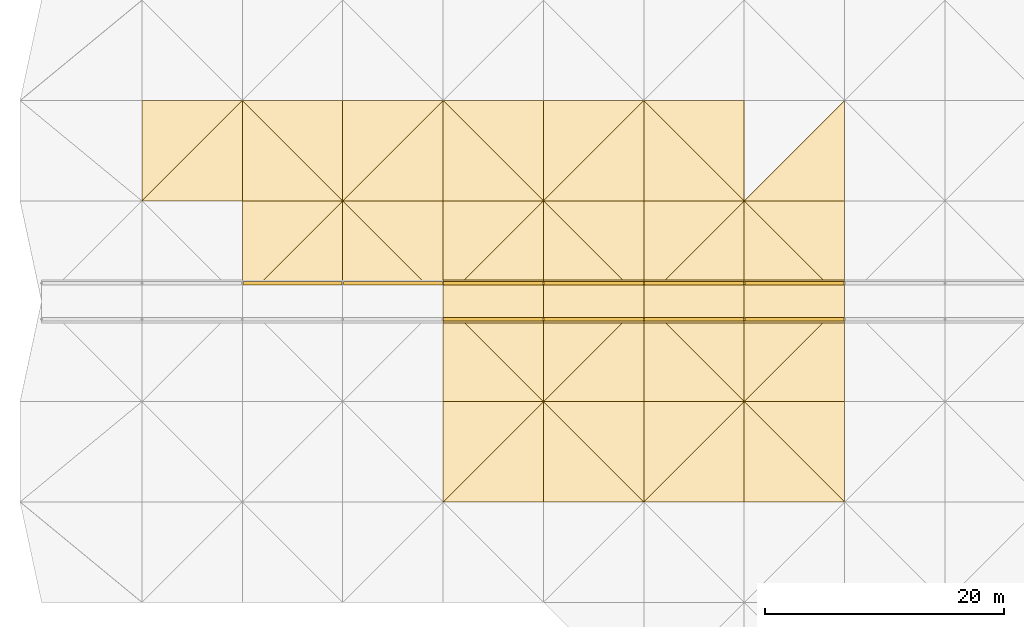
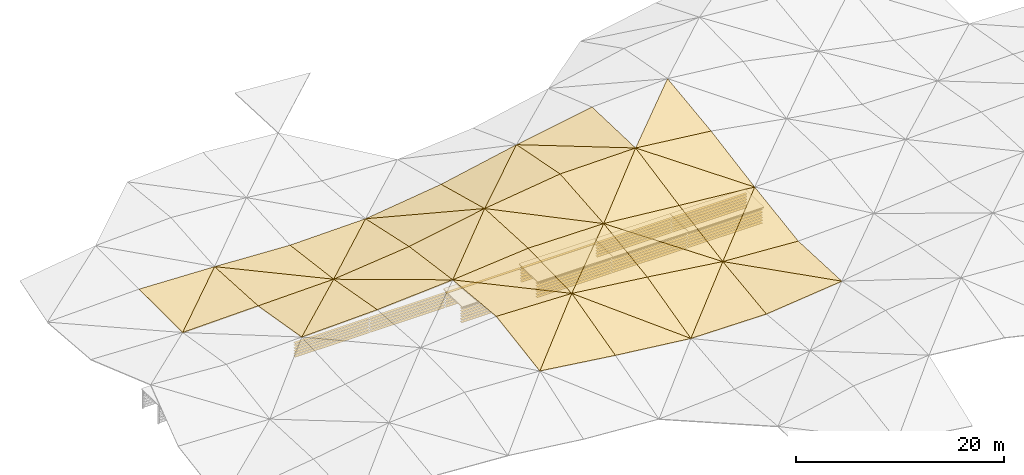
# One storey, part 39 of 46: 60 shading devices, 45 coverings.
"""IFC4 building model written with IfcOpenShell, lengths in metres."""

from ifc_helpers import new_model, si_unit, direction, frame, origin, origin_2d, place, context, subcontext, project, spatial, polyline, rectangle, outline, extrude, material, layer, layer_set, type_object, element, save


model = new_model("IFC4")

# Units and contexts
model_context = context("Model", 3, precision=1e-05, world=origin(), true_north=direction((0.0, 1.0)))
body_context = subcontext(model_context, "Body", "Model", "MODEL_VIEW")
ifc_project = project(units=[si_unit("LENGTHUNIT", "METRE"), si_unit("AREAUNIT", "SQUARE_METRE"), si_unit("VOLUMEUNIT", "CUBIC_METRE"), si_unit("PLANEANGLEUNIT", "RADIAN"), si_unit("MASSUNIT", "GRAM", prefix="KILO")], contexts=[model_context])

# Site, building, storey
site_placement = place(None, origin())
site = spatial("IfcSite", under=ifc_project, at=site_placement, CompositionType="ELEMENT")
building_placement = place(site_placement, origin())
building = spatial("IfcBuilding", under=site, at=building_placement, Name="Rain Tree Exposition and Congress Centre", CompositionType="ELEMENT")
storey_placement = place(building_placement, frame((0.0, 0.0, 27.0)))
storey = spatial("IfcBuildingStorey", under=building, at=storey_placement, Name="ROOF VAULT CREST", CompositionType="ELEMENT", Elevation=27.0)

# Shading devices
ifc_material_1 = material(Name="Aluminium", Category="aluminium")
ifc_layer_1 = layer(ifc_material_1, 0.0400390625)
ifc_layer_set_1 = layer_set([ifc_layer_1], Name="Aluminium")
shading_device_type = type_object("IfcShadingDeviceType", Name="Lantern louvre blade 40", PredefinedType="JALOUSIE", material=ifc_layer_set_1)
for number, where, z_axis, x_axis, name in (
    (1, (46.199951171875, 149.699951171875, 0.14990234375), (0.0, 0.0, 1.0), (1.0, 0.0, 0.0), "Lantern louvre S4.1"),
    (2, (46.199951171875, 149.699951171875, 0.469970703125), (0.0, 0.0, 1.0), (1.0, 0.0, 0.0), "Lantern louvre S4.2"),
    (3, (46.199951171875, 149.699951171875, 0.7900390625), (0.0, 0.0, 1.0), (1.0, 0.0, 0.0), "Lantern louvre S4.3"),
    (4, (46.199951171875, 149.699951171875, 1.10986328125), (0.0, 0.0, 1.0), (1.0, 0.0, 0.0), "Lantern louvre S4.4"),
    (5, (46.199951171875, 149.699951171875, 1.429931640625), (0.0, 0.0, 1.0), (1.0, 0.0, 0.0), "Lantern louvre S4.5"),
    (6, (46.199951171875, 149.699951171875, 1.75), (0.0, 0.0, 1.0), (1.0, 0.0, 0.0), "Lantern louvre S4.6"),
    (7, (54.60009765625, 149.699951171875, 0.14990234375), (0.0, 0.0, 1.0), (1.0, 0.0, 0.0), "Lantern louvre S5.1"),
    (8, (54.60009765625, 149.699951171875, 0.469970703125), (0.0, 0.0, 1.0), (1.0, 0.0, 0.0), "Lantern louvre S5.2"),
    (9, (54.60009765625, 149.699951171875, 0.7900390625), (0.0, 0.0, 1.0), (1.0, 0.0, 0.0), "Lantern louvre S5.3"),
    (10, (54.60009765625, 149.699951171875, 1.10986328125), (0.0, 0.0, 1.0), (1.0, 0.0, 0.0), "Lantern louvre S5.4"),
    (11, (54.60009765625, 149.699951171875, 1.429931640625), (0.0, 0.0, 1.0), (1.0, 0.0, 0.0), "Lantern louvre S5.5"),
    (12, (54.60009765625, 149.699951171875, 1.75), (0.0, 0.0, 1.0), (1.0, 0.0, 0.0), "Lantern louvre S5.6"),
    (13, (63.0, 149.699951171875, 0.14990234375), (0.0, 0.0, 1.0), (1.0, 0.0, 0.0), "Lantern louvre S6.1"),
    (14, (63.0, 149.699951171875, 0.469970703125), (0.0, 0.0, 1.0), (1.0, 0.0, 0.0), "Lantern louvre S6.2"),
    (15, (63.0, 149.699951171875, 0.7900390625), (0.0, 0.0, 1.0), (1.0, 0.0, 0.0), "Lantern louvre S6.3"),
    (16, (63.0, 149.699951171875, 1.10986328125), (0.0, 0.0, 1.0), (1.0, 0.0, 0.0), "Lantern louvre S6.4"),
    (17, (63.0, 149.699951171875, 1.429931640625), (0.0, 0.0, 1.0), (1.0, 0.0, 0.0), "Lantern louvre S6.5"),
    (18, (63.0, 149.699951171875, 1.75), (0.0, 0.0, 1.0), (1.0, 0.0, 0.0), "Lantern louvre S6.6"),
    (19, (71.39990234375, 149.699951171875, 0.14990234375), (0.0, 0.0, 1.0), (1.0, 0.0, 0.0), "Lantern louvre S7.1"),
    (20, (71.39990234375, 149.699951171875, 0.469970703125), (0.0, 0.0, 1.0), (1.0, 0.0, 0.0), "Lantern louvre S7.2"),
    (21, (71.39990234375, 149.699951171875, 0.7900390625), (0.0, 0.0, 1.0), (1.0, 0.0, 0.0), "Lantern louvre S7.3"),
    (22, (71.39990234375, 149.699951171875, 1.10986328125), (0.0, 0.0, 1.0), (1.0, 0.0, 0.0), "Lantern louvre S7.4"),
    (23, (71.39990234375, 149.699951171875, 1.429931640625), (0.0, 0.0, 1.0), (1.0, 0.0, 0.0), "Lantern louvre S7.5"),
    (24, (71.39990234375, 149.699951171875, 1.75), (0.0, 0.0, 1.0), (1.0, 0.0, 0.0), "Lantern louvre S7.6"),
    (25, (29.39990234375, 152.699951171875, 0.14990234375), (0.0, 0.0, 1.0), (1.0, 0.0, 0.0), "Lantern louvre N2.1"),
    (26, (29.39990234375, 152.699951171875, 0.469970703125), (0.0, 0.0, 1.0), (1.0, 0.0, 0.0), "Lantern louvre N2.2"),
    (27, (29.39990234375, 152.699951171875, 0.7900390625), (0.0, 0.0, 1.0), (1.0, 0.0, 0.0), "Lantern louvre N2.3"),
    (28, (29.39990234375, 152.699951171875, 1.10986328125), (0.0, 0.0, 1.0), (1.0, 0.0, 0.0), "Lantern louvre N2.4"),
    (29, (29.39990234375, 152.699951171875, 1.429931640625), (0.0, 0.0, 1.0), (1.0, 0.0, 0.0), "Lantern louvre N2.5"),
    (30, (29.39990234375, 152.699951171875, 1.75), (0.0, 0.0, 1.0), (1.0, 0.0, 0.0), "Lantern louvre N2.6"),
    (31, (37.800048828125, 152.699951171875, 0.14990234375), (0.0, 0.0, 1.0), (1.0, 0.0, 0.0), "Lantern louvre N3.1"),
    (32, (37.800048828125, 152.699951171875, 0.469970703125), (0.0, 0.0, 1.0), (1.0, 0.0, 0.0), "Lantern louvre N3.2"),
    (33, (37.800048828125, 152.699951171875, 0.7900390625), (0.0, 0.0, 1.0), (1.0, 0.0, 0.0), "Lantern louvre N3.3"),
    (34, (37.800048828125, 152.699951171875, 1.10986328125), (0.0, 0.0, 1.0), (1.0, 0.0, 0.0), "Lantern louvre N3.4"),
    (35, (37.800048828125, 152.699951171875, 1.429931640625), (0.0, 0.0, 1.0), (1.0, 0.0, 0.0), "Lantern louvre N3.5"),
    (36, (37.800048828125, 152.699951171875, 1.75), (0.0, 0.0, 1.0), (1.0, 0.0, 0.0), "Lantern louvre N3.6"),
    (37, (46.199951171875, 152.699951171875, 0.14990234375), (0.0, 0.0, 1.0), (1.0, 0.0, 0.0), "Lantern louvre N4.1"),
    (38, (46.199951171875, 152.699951171875, 0.469970703125), (0.0, 0.0, 1.0), (1.0, 0.0, 0.0), "Lantern louvre N4.2"),
    (39, (46.199951171875, 152.699951171875, 0.7900390625), (0.0, 0.0, 1.0), (1.0, 0.0, 0.0), "Lantern louvre N4.3"),
    (40, (46.199951171875, 152.699951171875, 1.10986328125), (0.0, 0.0, 1.0), (1.0, 0.0, 0.0), "Lantern louvre N4.4"),
    (41, (46.199951171875, 152.699951171875, 1.429931640625), (0.0, 0.0, 1.0), (1.0, 0.0, 0.0), "Lantern louvre N4.5"),
    (42, (46.199951171875, 152.699951171875, 1.75), (0.0, 0.0, 1.0), (1.0, 0.0, 0.0), "Lantern louvre N4.6"),
    (43, (54.60009765625, 152.699951171875, 0.14990234375), (0.0, 0.0, 1.0), (1.0, 0.0, 0.0), "Lantern louvre N5.1"),
    (44, (54.60009765625, 152.699951171875, 0.469970703125), (0.0, 0.0, 1.0), (1.0, 0.0, 0.0), "Lantern louvre N5.2"),
    (45, (54.60009765625, 152.699951171875, 0.7900390625), (0.0, 0.0, 1.0), (1.0, 0.0, 0.0), "Lantern louvre N5.3"),
    (46, (54.60009765625, 152.699951171875, 1.10986328125), (0.0, 0.0, 1.0), (1.0, 0.0, 0.0), "Lantern louvre N5.4"),
    (47, (54.60009765625, 152.699951171875, 1.429931640625), (0.0, 0.0, 1.0), (1.0, 0.0, 0.0), "Lantern louvre N5.5"),
    (48, (54.60009765625, 152.699951171875, 1.75), (0.0, 0.0, 1.0), (1.0, 0.0, 0.0), "Lantern louvre N5.6"),
    (49, (63.0, 152.699951171875, 0.14990234375), (0.0, 0.0, 1.0), (1.0, 0.0, 0.0), "Lantern louvre N6.1"),
    (50, (63.0, 152.699951171875, 0.469970703125), (0.0, 0.0, 1.0), (1.0, 0.0, 0.0), "Lantern louvre N6.2"),
    (51, (63.0, 152.699951171875, 0.7900390625), (0.0, 0.0, 1.0), (1.0, 0.0, 0.0), "Lantern louvre N6.3"),
    (52, (63.0, 152.699951171875, 1.10986328125), (0.0, 0.0, 1.0), (1.0, 0.0, 0.0), "Lantern louvre N6.4"),
    (53, (63.0, 152.699951171875, 1.429931640625), (0.0, 0.0, 1.0), (1.0, 0.0, 0.0), "Lantern louvre N6.5"),
    (54, (63.0, 152.699951171875, 1.75), (0.0, 0.0, 1.0), (1.0, 0.0, 0.0), "Lantern louvre N6.6"),
    (55, (71.39990234375, 152.699951171875, 0.14990234375), (0.0, 0.0, 1.0), (1.0, 0.0, 0.0), "Lantern louvre N7.1"),
    (56, (71.39990234375, 152.699951171875, 0.469970703125), (0.0, 0.0, 1.0), (1.0, 0.0, 0.0), "Lantern louvre N7.2"),
    (57, (71.39990234375, 152.699951171875, 0.7900390625), (0.0, 0.0, 1.0), (1.0, 0.0, 0.0), "Lantern louvre N7.3"),
    (58, (71.39990234375, 152.699951171875, 1.10986328125), (0.0, 0.0, 1.0), (1.0, 0.0, 0.0), "Lantern louvre N7.4"),
    (59, (71.39990234375, 152.699951171875, 1.429931640625), (0.0, 0.0, 1.0), (1.0, 0.0, 0.0), "Lantern louvre N7.5"),
    (60, (71.39990234375, 152.699951171875, 1.75), (0.0, 0.0, 1.0), (1.0, 0.0, 0.0), "Lantern louvre N7.6"),
):
    element("IfcShadingDevice", number, at=place(storey_placement, frame(where, z_axis=z_axis, x_axis=x_axis)), inside=storey, type_object=shading_device_type, Name=name, PredefinedType="JALOUSIE", context=body_context, shape_type="SweptSolid", body=[
        extrude(rectangle(XDim=8.300048828125, YDim=0.300048828125, at=origin_2d()), origin(), (0.0, 0.0, 1.0), 0.0400390625),
    ])

# Coverings
ifc_material_2 = material(Name="Aluminium composite", Category="aluminium")
ifc_layer_2 = layer(ifc_material_2, 0.1201171875)
ifc_layer_set_2 = layer_set([ifc_layer_2], Name="Aluminium composite")
covering_type_1 = type_object("IfcCoveringType", Name="Ridge lantern cap 120", PredefinedType="CLADDING", material=ifc_layer_set_2)
for number, where, z_axis, x_axis, name in (
    (61, (46.199951171875, 151.199951171875, 2.02001953125), (0.0, 0.0, 1.0), (1.0, 0.0, 0.0), "Lantern cap 4"),
    (62, (54.60009765625, 151.199951171875, 2.02001953125), (0.0, 0.0, 1.0), (1.0, 0.0, 0.0), "Lantern cap 5"),
    (63, (63.0, 151.199951171875, 2.02001953125), (0.0, 0.0, 1.0), (1.0, 0.0, 0.0), "Lantern cap 6"),
    (64, (71.39990234375, 151.199951171875, 2.02001953125), (0.0, 0.0, 1.0), (1.0, 0.0, 0.0), "Lantern cap 7"),
):
    element("IfcCovering", number, at=place(storey_placement, frame(where, z_axis=z_axis, x_axis=x_axis)), inside=storey, type_object=covering_type_1, Name=name, PredefinedType="CLADDING", context=body_context, shape_type="SweptSolid", body=[
        extrude(rectangle(XDim=8.39990234375, YDim=3.60009765625, at=origin_2d()), origin(), (0.0, 0.0, 1.0), 0.1201171875),
    ])
ifc_material_3 = material(Name="Aluminium composite cladding", Category="aluminium")
ifc_layer_3 = layer(ifc_material_3, 0.10009765625)
ifc_layer_set_3 = layer_set([ifc_layer_3], Name="Aluminium composite cladding")
covering_type_2 = type_object("IfcCoveringType", Name="Triangular aluminium roof skin facet 100", PredefinedType="CLADDING", material=ifc_layer_set_3)
covering_1_placement = place(storey_placement, frame((42.0, 134.39990234375, 3.713134765625), z_axis=(0.12601558352, -0.25057318455, 0.95986100655), x_axis=(0.991491918912, 0.0, -0.130168255471)))
element("IfcCovering", 65, at=covering_1_placement, inside=storey, type_object=covering_type_2, Name="Roof skin facet A121", PredefinedType="CLADDING", context=body_context, shape_type="SweptSolid", body=[
    extrude(outline(polyline([(0.0, 0.0), (8.471982659190903, 0.0), (8.186540454445316, 8.67696187271282), (0.0, 0.0)])), origin(), (0.0, 0.0, -1.0), 0.10009765625),
])
covering_2_placement = place(storey_placement, frame((42.0, 134.39990234375, 3.713134765625), z_axis=(0.028122171689, -0.156245688201, 0.987317795028), x_axis=(0.704138162742, 0.704158628305, 0.091378739076)))
element("IfcCovering", 66, at=covering_2_placement, inside=storey, type_object=covering_type_2, Name="Roof skin facet A122", PredefinedType="CLADDING", context=body_context, shape_type="SweptSolid", body=[
    extrude(outline(polyline([(0.0, 0.0), (11.929338286459213, -2.498001805406602e-16), (6.036509560142803, 5.99084078303531), (0.0, 0.0)])), origin(), (0.0, 0.0, -1.0), 0.10009765625),
])
covering_3_placement = place(storey_placement, frame((50.39990234375, 134.39990234375, 2.6103515625), z_axis=(0.109240863584, -0.251075086159, 0.961783621629), x_axis=(0.993611364728, 0.0, -0.112855907616)))
element("IfcCovering", 67, at=covering_3_placement, inside=storey, type_object=covering_type_2, Name="Roof skin facet A123", PredefinedType="CLADDING", context=body_context, shape_type="SweptSolid", body=[
    extrude(outline(polyline([(0.0, 0.0), (8.45415701004675, 2.7755575615628914e-17), (-0.24747845757082637, 8.678127620967576), (0.0, 0.0)])), origin(), (0.0, 0.0, -1.0), 0.10009765625),
])
covering_4_placement = place(storey_placement, frame((58.800048828125, 134.39990234375, 1.65625), z_axis=(0.116594396545, -0.244073175201, 0.962722198685), x_axis=(0.0, 0.969333426313, 0.245749280022)))
element("IfcCovering", 68, at=covering_4_placement, inside=storey, type_object=covering_type_2, Name="Roof skin facet A124", PredefinedType="CLADDING", context=body_context, shape_type="SweptSolid", body=[
    extrude(outline(polyline([(0.0, 0.0), (8.665899943554805, 0.0), (8.91590903775731, 8.457832160047754), (0.0, 0.0)])), origin(), (0.0, 0.0, -1.0), 0.10009765625),
])
covering_5_placement = place(storey_placement, frame((58.800048828125, 134.39990234375, 1.65625), z_axis=(0.008273448803, -0.127269041266, 0.991833726579), x_axis=(0.999965210934, 0.0, -0.008341278136)))
element("IfcCovering", 69, at=covering_5_placement, inside=storey, type_object=covering_type_2, Name="Roof skin facet A125", PredefinedType="CLADDING", context=body_context, shape_type="SweptSolid", body=[
    extrude(outline(polyline([(0.0, 0.0), (8.400194578670321, 1.734723475976807e-18), (8.391203674625087, 8.469014539461432), (0.0, 0.0)])), origin(), (0.0, 0.0, -1.0), 0.10009765625),
])
covering_6_placement = place(storey_placement, frame((58.800048828125, 134.39990234375, 1.65625), z_axis=(0.128385358885, -0.243715546634, 0.961311568615), x_axis=(0.704565573332, 0.704586051318, 0.08453312465)))
element("IfcCovering", 70, at=covering_6_placement, inside=storey, type_object=covering_type_2, Name="Roof skin facet A126", PredefinedType="CLADDING", context=body_context, shape_type="SweptSolid", body=[
    extrude(outline(polyline([(0.0, 0.0), (11.922101592364106, 2.220446049250313e-16), (6.09865105322751, 6.1566449599331445), (0.0, 0.0)])), origin(), (0.0, 0.0, -1.0), 0.10009765625),
])
covering_7_placement = place(storey_placement, frame((67.199951171875, 134.39990234375, 1.586181640625), z_axis=(-0.108808127097, -0.126517745887, 0.985978727688), x_axis=(0.993965895596, 0.0, 0.109689554613)))
element("IfcCovering", 71, at=covering_7_placement, inside=storey, type_object=covering_type_2, Name="Roof skin facet A127", PredefinedType="CLADDING", context=body_context, shape_type="SweptSolid", body=[
    extrude(outline(polyline([(0.0, 0.0), (8.451141554846613, 0.0), (0.11823227139103502, 8.468193977228344), (0.0, 0.0)])), origin(), (0.0, 0.0, -1.0), 0.10009765625),
])
covering_8_placement = place(storey_placement, frame((75.60009765625, 134.39990234375, 2.51318359375), z_axis=(0.062735913551, 0.044827925295, 0.997022899569), x_axis=(0.0, 0.998990749063, -0.044916403313)))
element("IfcCovering", 72, at=covering_8_placement, inside=storey, type_object=covering_type_2, Name="Roof skin facet A128", PredefinedType="CLADDING", context=body_context, shape_type="SweptSolid", body=[
    extrude(outline(polyline([(0.0, 0.0), (8.40863290501351, 0.0), (8.384891690859877, 8.416726067469195), (0.0, 0.0)])), origin(), (0.0, 0.0, -1.0), 0.10009765625),
])
covering_9_placement = place(storey_placement, frame((42.0, 142.800048828125, 5.04248046875), z_axis=(0.028344852069, 0.094347864743, 0.995135694154), x_axis=(0.99959459451, 0.0, -0.028471856729)))
element("IfcCovering", 73, at=covering_9_placement, inside=storey, type_object=covering_type_2, Name="Roof skin facet A149", PredefinedType="CLADDING", context=body_context, shape_type="SweptSolid", body=[
    extrude(outline(polyline([(0.0, 0.0), (8.4033090913865, 0.0), (0.02267460855717963, 8.437539751163543), (0.0, 0.0)])), origin(), (0.0, 0.0, -1.0), 0.10009765625),
])
covering_10_placement = place(storey_placement, frame((50.39990234375, 142.800048828125, 4.80322265625), z_axis=(-0.092546080883, -0.026528526468, 0.995354941816), x_axis=(0.0, 0.999645015814, 0.026642866927)))
element("IfcCovering", 74, at=covering_10_placement, inside=storey, type_object=covering_type_2, Name="Roof skin facet A150", PredefinedType="CLADDING", context=body_context, shape_type="SweptSolid", body=[
    extrude(outline(polyline([(0.0, 0.0), (8.402885235124733, 0.0), (8.382076999943946, 8.43610671780908), (0.0, 0.0)])), origin(), (0.0, 0.0, -1.0), 0.10009765625),
])
covering_11_placement = place(storey_placement, frame((50.39990234375, 142.800048828125, 4.80322265625), z_axis=(0.119045649975, -0.140047693118, 0.982962245905), x_axis=(0.992745997019, 0.0, -0.120230551038)))
element("IfcCovering", 75, at=covering_11_placement, inside=storey, type_object=covering_type_2, Name="Roof skin facet A151", PredefinedType="CLADDING", context=body_context, shape_type="SweptSolid", body=[
    extrude(outline(polyline([(0.0, 0.0), (8.461526422266964, -2.7755575615628914e-17), (8.317637222757648, 8.483509373679894), (0.0, 0.0)])), origin(), (0.0, 0.0, -1.0), 0.10009765625),
])
covering_12_placement = place(storey_placement, frame((50.39990234375, 142.800048828125, 4.80322265625), z_axis=(0.005287669644, -0.026642494465, 0.999631040954), x_axis=(0.707036398282, 0.70701584908, 0.015103663578)))
element("IfcCovering", 76, at=covering_12_placement, inside=storey, type_object=covering_type_2, Name="Roof skin facet A152", PredefinedType="CLADDING", context=body_context, shape_type="SweptSolid", body=[
    extrude(outline(polyline([(0.0, 0.0), (11.88078365524422, -3.426078865054194e-16), (5.942245449939635, 5.94122876914776), (0.0, 0.0)])), origin(), (0.0, 0.0, -1.0), 0.10009765625),
])
covering_13_placement = place(storey_placement, frame((58.800048828125, 142.800048828125, 3.785888671875), z_axis=(0.131076348461, -0.139833788935, 0.981460902098), x_axis=(0.991199446243, 0.0, -0.132376953307)))
element("IfcCovering", 77, at=covering_13_placement, inside=storey, type_object=covering_type_2, Name="Roof skin facet A153", PredefinedType="CLADDING", context=body_context, shape_type="SweptSolid", body=[
    extrude(outline(polyline([(0.0, 0.0), (8.474482482396224, 0.0), (-0.1584257385527299, 8.483250360587862), (0.0, 0.0)])), origin(), (0.0, 0.0, -1.0), 0.10009765625),
])
covering_14_placement = place(storey_placement, frame((67.199951171875, 142.800048828125, 2.6640625), z_axis=(0.094263826063, -0.176196462796, 0.979831178109), x_axis=(0.0, 0.984213633331, 0.176984530298)))
element("IfcCovering", 78, at=covering_14_placement, inside=storey, type_object=covering_type_2, Name="Roof skin facet A154", PredefinedType="CLADDING", context=body_context, shape_type="SweptSolid", body=[
    extrude(outline(polyline([(0.0, 0.0), (8.534633192712498, 0.0), (8.677655359530183, 8.437472281018715), (0.0, 0.0)])), origin(), (0.0, 0.0, -1.0), 0.10009765625),
])
covering_15_placement = place(storey_placement, frame((67.199951171875, 142.800048828125, 2.6640625), z_axis=(0.062102170032, -0.148561887571, 0.986951207527), x_axis=(0.998026192079, 0.0, -0.062799043969)))
element("IfcCovering", 79, at=covering_15_placement, inside=storey, type_object=covering_type_2, Name="Roof skin facet A155", PredefinedType="CLADDING", context=body_context, shape_type="SweptSolid", body=[
    extrude(outline(polyline([(0.0, 0.0), (8.416759551042494, -1.3877787807814457e-17), (8.33735617000806, 8.494161095339141), (0.0, 0.0)])), origin(), (0.0, 0.0, -1.0), 0.10009765625),
])
covering_16_placement = place(storey_placement, frame((67.199951171875, 142.800048828125, 2.6640625), z_axis=(0.09039222904, -0.176259998645, 0.980184501921), x_axis=(0.705764394935, 0.705743882702, 0.061823869746)))
element("IfcCovering", 80, at=covering_16_placement, inside=storey, type_object=covering_type_2, Name="Roof skin facet A156", PredefinedType="CLADDING", context=body_context, shape_type="SweptSolid", body=[
    extrude(outline(polyline([(0.0, 0.0), (11.902196461962157, 1.6653345369377348e-16), (6.021564528898617, 6.0482000924622135), (0.0, 0.0)])), origin(), (0.0, 0.0, -1.0), 0.10009765625),
])
covering_17_placement = place(storey_placement, frame((25.199951171875, 151.199951171875, 3.39990234375), z_axis=(-0.032449816855, 0.176858649395, 0.983701188126), x_axis=(0.99945635694, 0.0, 0.032969540068)))
element("IfcCovering", 81, at=covering_17_placement, inside=storey, type_object=covering_type_2, Name="Roof skin facet A173", PredefinedType="CLADDING", context=body_context, shape_type="SweptSolid", body=[
    extrude(outline(polyline([(0.0, 0.0), (8.404715649709598, 6.938893903907228e-18), (8.35492327303432, 8.534685028724029), (0.0, 0.0)])), origin(), (0.0, 0.0, -1.0), 0.10009765625),
])
covering_18_placement = place(storey_placement, frame((25.199951171875, 151.199951171875, 3.39990234375), z_axis=(-0.022744871158, 0.167435481006, 0.985620632158), x_axis=(0.703327635847, 0.703327635847, -0.103249568072)))
element("IfcCovering", 82, at=covering_18_placement, inside=storey, type_object=covering_type_2, Name="Roof skin facet A174", PredefinedType="CLADDING", context=body_context, shape_type="SweptSolid", body=[
    extrude(outline(polyline([(0.0, 0.0), (11.94343298377048, -2.220446049250313e-16), (6.0553925029243185, 5.994248674246689), (0.0, 0.0)])), origin(), (0.0, 0.0, -1.0), 0.10009765625),
])
covering_19_placement = place(storey_placement, frame((33.60009765625, 151.199951171875, 3.677001953125), z_axis=(-0.066532936861, 0.176559753554, 0.982038706843), x_axis=(0.997712852114, 0.0, 0.067594857242)))
element("IfcCovering", 83, at=covering_19_placement, inside=storey, type_object=covering_type_2, Name="Roof skin facet A175", PredefinedType="CLADDING", context=body_context, shape_type="SweptSolid", body=[
    extrude(outline(polyline([(0.0, 0.0), (8.419158203633375, 0.0), (-0.102085397192606, 8.534219729534803), (0.0, 0.0)])), origin(), (0.0, 0.0, -1.0), 0.10009765625),
])
covering_20_placement = place(storey_placement, frame((42.0, 151.199951171875, 4.24609375), z_axis=(-0.10613158235, 0.137640762059, 0.984779725547), x_axis=(0.0, 0.990373260434, -0.138422559637)))
element("IfcCovering", 84, at=covering_20_placement, inside=storey, type_object=covering_type_2, Name="Roof skin facet A176", PredefinedType="CLADDING", context=body_context, shape_type="SweptSolid", body=[
    extrude(outline(polyline([(0.0, 0.0), (8.481798550063983, -2.7755575615628914e-17), (8.607108816454092, 8.447613670044165), (0.0, 0.0)])), origin(), (0.0, 0.0, -1.0), 0.10009765625),
])
covering_21_placement = place(storey_placement, frame((42.0, 151.199951171875, 4.24609375), z_axis=(-0.092460576007, 0.05049200739, 0.994435316687), x_axis=(0.995705373641, 0.0, 0.092578663323)))
element("IfcCovering", 85, at=covering_21_placement, inside=storey, type_object=covering_type_2, Name="Roof skin facet A177", PredefinedType="CLADDING", context=body_context, shape_type="SweptSolid", body=[
    extrude(outline(polyline([(0.0, 0.0), (8.436132380238874, 0.0), (8.396646314607874, 8.410874848782079), (0.0, 0.0)])), origin(), (0.0, 0.0, -1.0), 0.10009765625),
])
covering_22_placement = place(storey_placement, frame((42.0, 151.199951171875, 4.24609375), z_axis=(-0.177364863075, 0.136227892762, 0.974671055577), x_axis=(0.706781889189, 0.706802431592, 0.029827567956)))
element("IfcCovering", 86, at=covering_22_placement, inside=storey, type_object=covering_type_2, Name="Roof skin facet A178", PredefinedType="CLADDING", context=body_context, shape_type="SweptSolid", body=[
    extrude(outline(polyline([(0.0, 0.0), (11.884716448215874, 5.967448757360216e-16), (5.902224240592925, 6.091359097740402), (0.0, 0.0)])), origin(), (0.0, 0.0, -1.0), 0.10009765625),
])
covering_23_placement = place(storey_placement, frame((50.39990234375, 151.199951171875, 5.027099609375), z_axis=(0.005282742271, 0.050708520587, 0.998699523668), x_axis=(0.999986010247, 0.0, -0.005289547297)))
element("IfcCovering", 87, at=covering_23_placement, inside=storey, type_object=covering_type_2, Name="Roof skin facet A179", PredefinedType="CLADDING", context=body_context, shape_type="SweptSolid", body=[
    extrude(outline(polyline([(0.0, 0.0), (8.400264001994891, -4.336808689942018e-19), (0.002256064240411248, 8.410967232217002), (0.0, 0.0)])), origin(), (0.0, 0.0, -1.0), 0.10009765625),
])
covering_24_placement = place(storey_placement, frame((58.800048828125, 151.199951171875, 4.982666015625), z_axis=(-0.13206682423, -0.087154920727, 0.987401829921), x_axis=(0.0, 0.996127091086, 0.087925072678)))
element("IfcCovering", 88, at=covering_24_placement, inside=storey, type_object=covering_type_2, Name="Roof skin facet A180", PredefinedType="CLADDING", context=body_context, shape_type="SweptSolid", body=[
    extrude(outline(polyline([(0.0, 0.0), (8.432805973804628, 0.0), (8.334019063535225, 8.474375101011683), (0.0, 0.0)])), origin(), (0.0, 0.0, -1.0), 0.10009765625),
])
covering_25_placement = place(storey_placement, frame((58.800048828125, 151.199951171875, 4.982666015625), z_axis=(0.093947156773, -0.193763927008, 0.97653953956), x_axis=(0.99540425725, 0.0, -0.095762020912)))
element("IfcCovering", 89, at=covering_25_placement, inside=storey, type_object=covering_type_2, Name="Roof skin facet A181", PredefinedType="CLADDING", context=body_context, shape_type="SweptSolid", body=[
    extrude(outline(polyline([(0.0, 0.0), (8.438684366248118, 0.0), (8.279073204928324, 8.562419885050103), (0.0, 0.0)])), origin(), (0.0, 0.0, -1.0), 0.10009765625),
])
covering_26_placement = place(storey_placement, frame((58.800048828125, 151.199951171875, 4.982666015625), z_axis=(-0.01389568213, -0.087916583543, 0.996030915362), x_axis=(0.705256645163, 0.705277143234, 0.072091717173)))
element("IfcCovering", 90, at=covering_26_placement, inside=storey, type_object=covering_type_2, Name="Roof skin facet A182", PredefinedType="CLADDING", context=body_context, shape_type="SweptSolid", body=[
    extrude(outline(polyline([(0.0, 0.0), (11.910419279792949, -9.159339953157541e-16), (5.977884085037897, 5.947866714855473), (0.0, 0.0)])), origin(), (0.0, 0.0, -1.0), 0.10009765625),
])
covering_27_placement = place(storey_placement, frame((67.199951171875, 151.199951171875, 4.174560546875), z_axis=(0.090088348033, -0.193833328717, 0.976889313191), x_axis=(0.995774703458, 0.0, -0.091829951291)))
element("IfcCovering", 91, at=covering_27_placement, inside=storey, type_object=covering_type_2, Name="Roof skin facet A183", PredefinedType="CLADDING", context=body_context, shape_type="SweptSolid", body=[
    extrude(outline(polyline([(0.0, 0.0), (8.435790199538307, 2.7755575615628914e-17), (-0.15305739195896037, 8.562539544170646), (0.0, 0.0)])), origin(), (0.0, 0.0, -1.0), 0.10009765625),
])
covering_28_placement = place(storey_placement, frame((75.60009765625, 151.199951171875, 3.39990234375), z_axis=(0.110404381192, -0.173996394676, 0.978537749529), x_axis=(0.0, 0.984556589711, 0.175066620625)))
element("IfcCovering", 92, at=covering_28_placement, inside=storey, type_object=covering_type_2, Name="Roof skin facet A184", PredefinedType="CLADDING", context=body_context, shape_type="SweptSolid", body=[
    extrude(outline(polyline([(0.0, 0.0), (8.531908243936261, 0.0), (8.697828317487758, 8.451814536237912), (0.0, 0.0)])), origin(), (0.0, 0.0, -1.0), 0.10009765625),
])
covering_29_placement = place(storey_placement, frame((16.800048828125, 159.60009765625, 1.77880859375), z_axis=(-0.023062744916, 0.056975133353, 0.998109184396), x_axis=(0.999733153181, 0.0, 0.023100269045)))
element("IfcCovering", 93, at=covering_29_placement, inside=storey, type_object=covering_type_2, Name="Roof skin facet A199", PredefinedType="CLADDING", context=body_context, shape_type="SweptSolid", body=[
    extrude(outline(polyline([(0.0, 0.0), (8.402144429260362, -1.734723475976807e-18), (8.3910680307239, 8.413569364770563), (0.0, 0.0)])), origin(), (0.0, 0.0, -1.0), 0.10009765625),
])
covering_30_placement = place(storey_placement, frame((16.800048828125, 159.60009765625, 1.77880859375), z_axis=(0.035262569148, -0.001307096879, 0.999377227435), x_axis=(0.706902796435, 0.706902796435, -0.024018176162)))
element("IfcCovering", 94, at=covering_30_placement, inside=storey, type_object=covering_type_2, Name="Roof skin facet A200", PredefinedType="CLADDING", context=body_context, shape_type="SweptSolid", body=[
    extrude(outline(polyline([(0.0, 0.0), (11.882683710006017, 2.706168622523819e-16), (5.937650585009352, 5.941614731222524), (0.0, 0.0)])), origin(), (0.0, 0.0, -1.0), 0.10009765625),
])
covering_31_placement = place(storey_placement, frame((25.199951171875, 159.60009765625, 1.972900390625), z_axis=(-0.023033081481, 0.056975172327, 0.998109867147), x_axis=(0.99973383927, 0.0, 0.023070557398)))
element("IfcCovering", 95, at=covering_31_placement, inside=storey, type_object=covering_type_2, Name="Roof skin facet A201", PredefinedType="CLADDING", context=body_context, shape_type="SweptSolid", body=[
    extrude(outline(polyline([(0.0, 0.0), (8.402382868733802, 0.0), (-0.011062152033434703, 8.413569383513911), (0.0, 0.0)])), origin(), (0.0, 0.0, -1.0), 0.10009765625),
])
covering_32_placement = place(storey_placement, frame((33.60009765625, 159.60009765625, 2.166748046875), z_axis=(0.048854620748, 0.128257902938, 0.99053679203), x_axis=(0.0, 0.991721006006, -0.128411238788)))
element("IfcCovering", 96, at=covering_32_placement, inside=storey, type_object=covering_type_2, Name="Roof skin facet A202", PredefinedType="CLADDING", context=body_context, shape_type="SweptSolid", body=[
    extrude(outline(polyline([(0.0, 0.0), (8.470025635115283, 0.0), (8.416824006154348, 8.410189090507986), (0.0, 0.0)])), origin(), (0.0, 0.0, -1.0), 0.10009765625),
])
covering_33_placement = place(storey_placement, frame((33.60009765625, 159.60009765625, 2.166748046875), z_axis=(-0.104735828967, 0.211138166539, 0.971828730158), x_axis=(0.994242712725, 0.0, 0.10715142646)))
element("IfcCovering", 97, at=covering_33_placement, inside=storey, type_object=covering_type_2, Name="Roof skin facet A203", PredefinedType="CLADDING", context=body_context, shape_type="SweptSolid", body=[
    extrude(outline(polyline([(0.0, 0.0), (8.448543033043025, 0.0), (8.25299691175661, 8.593635312178108), (0.0, 0.0)])), origin(), (0.0, 0.0, -1.0), 0.10009765625),
])
covering_34_placement = place(storey_placement, frame((33.60009765625, 159.60009765625, 2.166748046875), z_axis=(-0.01982706295, 0.128385996281, 0.99152605792), x_axis=(0.704997177089, 0.704997177089, -0.077187826719)))
element("IfcCovering", 98, at=covering_34_placement, inside=storey, type_object=covering_type_2, Name="Roof skin facet A204", PredefinedType="CLADDING", context=body_context, shape_type="SweptSolid", body=[
    extrude(outline(polyline([(0.0, 0.0), (11.914802805929213, -6.38378239159465e-16), (6.005860508532937, 5.972518213580813), (0.0, 0.0)])), origin(), (0.0, 0.0, -1.0), 0.10009765625),
])
covering_35_placement = place(storey_placement, frame((42.0, 159.60009765625, 3.072021484375), z_axis=(-0.175079033568, 0.209026637266, 0.962109763446), x_axis=(0.983842905127, 0.0, 0.179033901907)))
element("IfcCovering", 99, at=covering_35_placement, inside=storey, type_object=covering_type_2, Name="Roof skin facet A205", PredefinedType="CLADDING", context=body_context, shape_type="SweptSolid", body=[
    extrude(outline(polyline([(0.0, 0.0), (8.537849183014075, 0.0), (-0.326728129089785, 8.589648123987745), (0.0, 0.0)])), origin(), (0.0, 0.0, -1.0), 0.10009765625),
])
covering_36_placement = place(storey_placement, frame((50.39990234375, 159.60009765625, 4.6005859375), z_axis=(-0.126597037888, 0.256007343285, 0.958349325759), x_axis=(0.0, 0.966122527558, -0.258083826972)))
element("IfcCovering", 100, at=covering_36_placement, inside=storey, type_object=covering_type_2, Name="Roof skin facet A206", PredefinedType="CLADDING", context=body_context, shape_type="SweptSolid", body=[
    extrude(outline(polyline([(0.0, 0.0), (8.694448275602497, 0.0), (8.980823029896047, 8.468034218275303), (0.0, 0.0)])), origin(), (0.0, 0.0, -1.0), 0.10009765625),
])
covering_37_placement = place(storey_placement, frame((50.39990234375, 159.60009765625, 4.6005859375), z_axis=(-0.130149889517, 0.190252879933, 0.973069806302), x_axis=(0.991173472946, 0.0, 0.132571288473)))
element("IfcCovering", 101, at=covering_37_placement, inside=storey, type_object=covering_type_2, Name="Roof skin facet A207", PredefinedType="CLADDING", context=body_context, shape_type="SweptSolid", body=[
    extrude(outline(polyline([(0.0, 0.0), (8.474950867485155, -2.7755575615628914e-17), (8.257224535073155, 8.556179962164437), (0.0, 0.0)])), origin(), (0.0, 0.0, -1.0), 0.10009765625),
])
covering_38_placement = place(storey_placement, frame((50.39990234375, 159.60009765625, 4.6005859375), z_axis=(-0.194614342131, 0.253149222554, 0.947650108931), x_axis=(0.706443696581, 0.706423164605, -0.043630448898)))
element("IfcCovering", 102, at=covering_38_placement, inside=storey, type_object=covering_type_2, Name="Roof skin facet A208", PredefinedType="CLADDING", context=body_context, shape_type="SweptSolid", body=[
    extrude(outline(polyline([(0.0, 0.0), (11.89075155604381, -1.3877787807814457e-16), (6.031787806937175, 6.2618660692489465), (0.0, 0.0)])), origin(), (0.0, 0.0, -1.0), 0.10009765625),
])
covering_39_placement = place(storey_placement, frame((58.800048828125, 159.60009765625, 5.72412109375), z_axis=(-0.013690525248, 0.191867006964, 0.981325441002), x_axis=(0.999902698235, 0.0, 0.013949697586)))
element("IfcCovering", 103, at=covering_39_placement, inside=storey, type_object=covering_type_2, Name="Roof skin facet A209", PredefinedType="CLADDING", context=body_context, shape_type="SweptSolid", body=[
    extrude(outline(polyline([(0.0, 0.0), (8.400719748610413, 0.0), (-0.022910062417661397, 8.558919057323177), (0.0, 0.0)])), origin(), (0.0, 0.0, -1.0), 0.10009765625),
])
covering_40_placement = place(storey_placement, frame((67.199951171875, 159.60009765625, 5.84130859375), z_axis=(-0.173536052575, 0.032641713813, 0.984286420193), x_axis=(0.0, 0.999450566817, -0.033144599684)))
element("IfcCovering", 104, at=covering_40_placement, inside=storey, type_object=covering_type_2, Name="Roof skin facet A210", PredefinedType="CLADDING", context=body_context, shape_type="SweptSolid", body=[
    extrude(outline(polyline([(0.0, 0.0), (8.40452006595746, 6.938893903907228e-18), (8.45360579390792, 8.529313202377852), (0.0, 0.0)])), origin(), (0.0, 0.0, -1.0), 0.10009765625),
])
covering_41_placement = place(storey_placement, frame((67.199951171875, 159.60009765625, 5.84130859375), z_axis=(0.111224111242, -0.12578259657, 0.985803193076), x_axis=(0.993695289828, 0.0, -0.112114543991)))
element("IfcCovering", 105, at=covering_41_placement, inside=storey, type_object=covering_type_2, Name="Roof skin facet A211", PredefinedType="CLADDING", context=body_context, shape_type="SweptSolid", body=[
    extrude(outline(polyline([(0.0, 0.0), (8.453442992400777, 1.3877787807814457e-17), (8.333281164245971, 8.46714988612857), (0.0, 0.0)])), origin(), (0.0, 0.0, -1.0), 0.10009765625),
])

save(model, "model.ifc")
